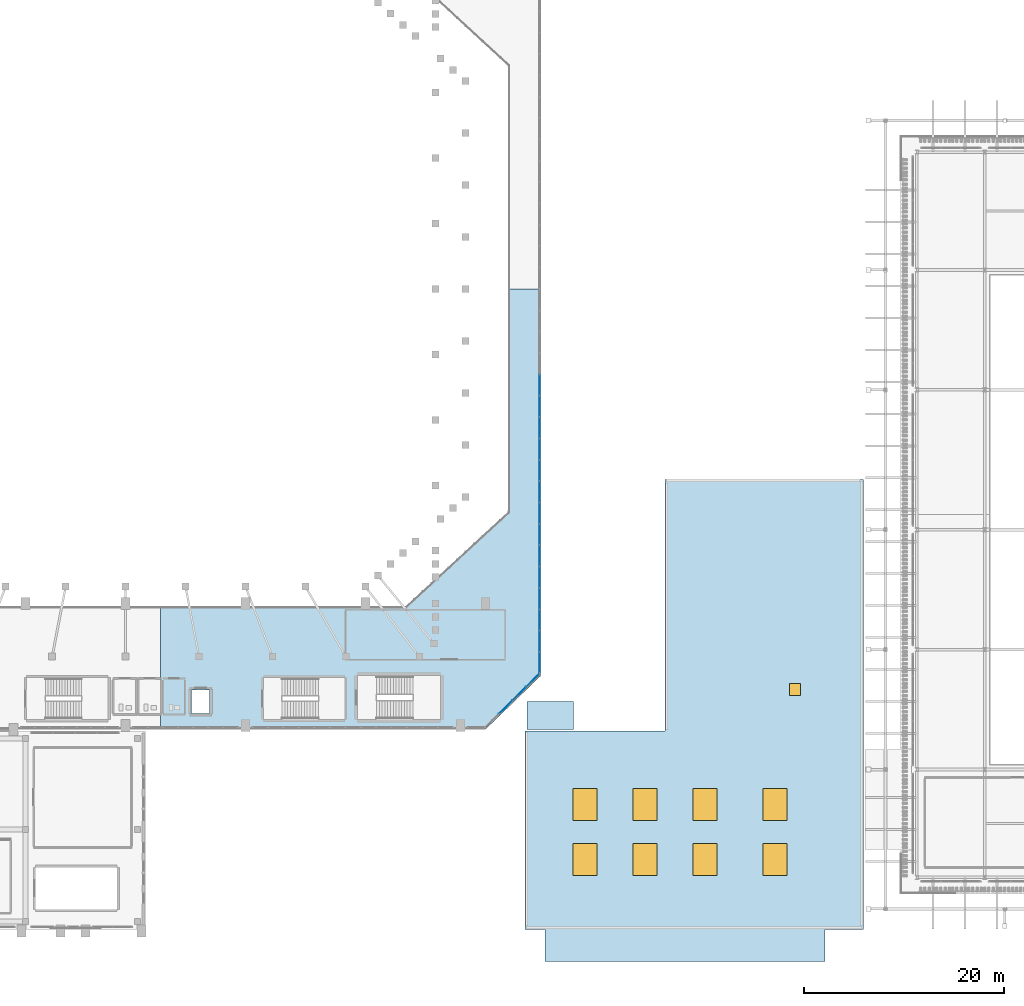
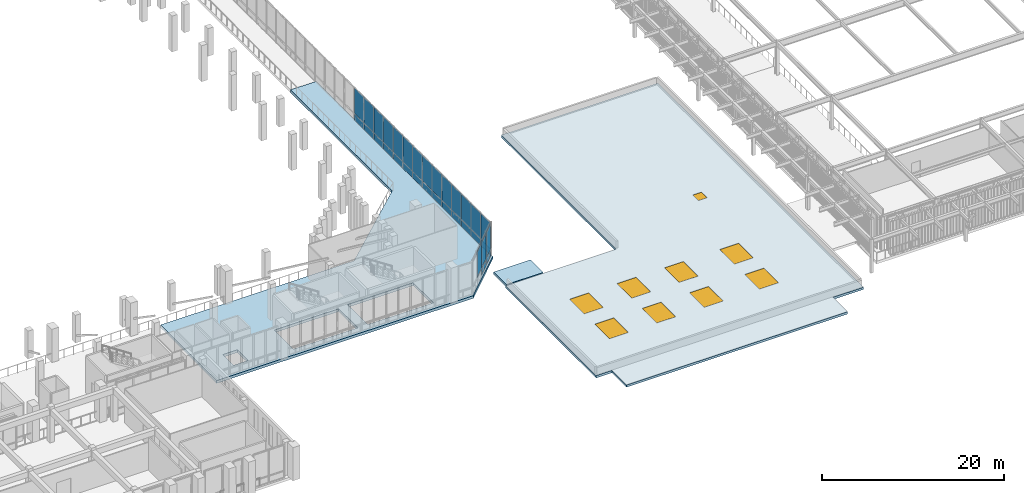
# One storey, part 69 of 126: 33 plates, 8 windows, 3 slabs, 1 door, 9 openings, 2 elements without a shape of their own.
"""IFC4 building model written with IfcOpenShell, lengths in metres."""

from ifc_helpers import new_model, si_unit, derived_unit, direction, frame, origin, origin_2d, place, context, subcontext, project, spatial, polyline, rectangle, outline, extrude, material, layer, layer_set, type_object, element, fill, aggregate, save


model = new_model("IFC4")

# Units and contexts
model_context = context("Model", 3, precision=1e-05, world=origin(), true_north=direction((0.0, 1.0)))
body_context = subcontext(model_context, "Body", "Model", "MODEL_VIEW")
ifc_project = project(units=[si_unit("LENGTHUNIT", "METRE"), si_unit("AREAUNIT", "SQUARE_METRE"), si_unit("VOLUMEUNIT", "CUBIC_METRE"), si_unit("PLANEANGLEUNIT", "RADIAN"), si_unit("MASSUNIT", "GRAM", prefix="KILO"), derived_unit("THERMALTRANSMITTANCEUNIT", [(si_unit("MASSUNIT", "GRAM", prefix="KILO"), 1), (si_unit("TIMEUNIT", "SECOND"), -3), (si_unit("THERMODYNAMICTEMPERATUREUNIT", "KELVIN"), -1)])], contexts=[model_context])

# Site, building, storey
site_placement = place(None, origin())
site = spatial("IfcSite", under=ifc_project, at=site_placement, CompositionType="ELEMENT")
building_placement = place(site_placement, origin())
building = spatial("IfcBuilding", under=site, at=building_placement, Name="Valcora Ridge Arena", CompositionType="ELEMENT")
storey_placement = place(building_placement, frame((0.0, 0.0, 11.39990234375)))
storey = spatial("IfcBuildingStorey", under=building, at=storey_placement, Name="L02", CompositionType="ELEMENT", Elevation=11.39990234375)

# Curtain wall, plates
ifc_material_1 = material(Name="Anodised dark bronze architectural aluminium 6063-T6", Category="aluminium")
ifc_layer_1 = layer(ifc_material_1, 0.14990234375, Name="Anodised dark bronze architectural aluminium 6063-T6")
ifc_layer_set_1 = layer_set([ifc_layer_1], Name="Anodised dark bronze architectural aluminium 6063-T6")
curtain_wall_type_1 = type_object("IfcCurtainWallType", Name="TY-CURTAINWALL-CW-V1-EAST-077X44", PredefinedType="NOTDEFINED", material=ifc_layer_set_1)
curtain_wall_1_placement = place(storey_placement, origin())
curtain_wall_1 = element("IfcCurtainWall", 1, at=curtain_wall_1_placement, inside=storey, type_object=curtain_wall_type_1, Name="CW-V1-EAST-077X44 CW-0128", PredefinedType="NOTDEFINED")
ifc_material_2 = material(Name="Low-iron solar-control double glazing SHGC 0.28", Category="glass")
ifc_layer_2 = layer(ifc_material_2, 0.028076171875, Name="Low-iron solar-control double glazing SHGC 0.28")
ifc_layer_set_2 = layer_set([ifc_layer_2], Name="Low-iron solar-control double glazing SHGC 0.28")
plate_type_1 = type_object("IfcPlateType", Name="TY-PLT-CWP-1848X0875", PredefinedType="CURTAIN_PANEL", material=ifc_layer_set_2)
plate_1_placement = place(storey_placement, frame((98.760009765625, 24.940673828125, 0.050048828125), z_axis=(0.0, 0.0, 1.0), x_axis=(0.708555400884, 0.705655187665, 0.0)))
plate_1 = element("IfcPlate", 2, at=plate_1_placement, type_object=plate_type_1, Name="CW-0128/P03-00", PredefinedType="CURTAIN_PANEL", context=body_context, shape_type="SweptSolid", body=[
    extrude(rectangle(XDim=1.847900390625, YDim=0.028076171875, at=origin_2d()), origin(), (0.0, 0.0, 1.0), 0.875),
])
ifc_layer_3 = layer(ifc_material_2, 0.028076171875, Name="Low-iron solar-control double glazing SHGC 0.28")
ifc_layer_set_3 = layer_set([ifc_layer_3], Name="Low-iron solar-control double glazing SHGC 0.28")
plate_type_2 = type_object("IfcPlateType", Name="TY-PLT-CWP-1848X3425", PredefinedType="CURTAIN_PANEL", material=ifc_layer_set_3)
plate_2_placement = place(storey_placement, frame((98.760009765625, 24.940673828125, 0.97509765625), z_axis=(0.0, 0.0, 1.0), x_axis=(0.708555400884, 0.705655187665, 0.0)))
plate_2 = element("IfcPlate", 3, at=plate_2_placement, type_object=plate_type_2, Name="CW-0128/P03-01", PredefinedType="CURTAIN_PANEL", context=body_context, shape_type="SweptSolid", body=[
    extrude(rectangle(XDim=1.847900390625, YDim=0.028076171875, at=origin_2d()), origin(), (0.0, 0.0, 1.0), 3.425048828125),
])
ifc_layer_4 = layer(ifc_material_2, 0.028076171875, Name="Low-iron solar-control double glazing SHGC 0.28")
ifc_layer_set_4 = layer_set([ifc_layer_4], Name="Low-iron solar-control double glazing SHGC 0.28")
plate_type_3 = type_object("IfcPlateType", Name="TY-PLT-CWP-1873X0875", PredefinedType="CURTAIN_PANEL", material=ifc_layer_set_4)
plate_3_placement = place(storey_placement, frame((97.406494140625, 23.59228515625, 0.050048828125), z_axis=(0.0, 0.0, 1.0), x_axis=(0.708555400884, 0.705655187665, 0.0)))
plate_3 = element("IfcPlate", 4, at=plate_3_placement, type_object=plate_type_3, Name="CW-0128/P02-00", PredefinedType="CURTAIN_PANEL", context=body_context, shape_type="SweptSolid", body=[
    extrude(rectangle(XDim=1.873046875, YDim=0.028076171875, at=origin_2d()), origin(), (0.0, 0.0, 1.0), 0.875),
])
ifc_layer_5 = layer(ifc_material_2, 0.028076171875, Name="Low-iron solar-control double glazing SHGC 0.28")
ifc_layer_set_5 = layer_set([ifc_layer_5], Name="Low-iron solar-control double glazing SHGC 0.28")
plate_type_4 = type_object("IfcPlateType", Name="TY-PLT-CWP-1873X3425", PredefinedType="CURTAIN_PANEL", material=ifc_layer_set_5)
plate_4_placement = place(storey_placement, frame((96.043701171875, 22.235595703125, 0.97509765625), z_axis=(0.0, 0.0, 1.0), x_axis=(0.708555400884, 0.705655187665, 0.0)))
plate_4 = element("IfcPlate", 5, at=plate_4_placement, type_object=plate_type_4, Name="CW-0128/P01-01", PredefinedType="CURTAIN_PANEL", context=body_context, shape_type="SweptSolid", body=[
    extrude(rectangle(XDim=1.873046875, YDim=0.028076171875, at=origin_2d()), origin(), (0.0, 0.0, 1.0), 3.425048828125),
])
plate_5_placement = place(storey_placement, frame((97.406494140625, 23.59228515625, 0.97509765625), z_axis=(0.0, 0.0, 1.0), x_axis=(0.708555400884, 0.705655187665, 0.0)))
plate_5 = element("IfcPlate", 6, at=plate_5_placement, type_object=plate_type_4, Name="CW-0128/P02-01", PredefinedType="CURTAIN_PANEL", context=body_context, shape_type="SweptSolid", body=[
    extrude(rectangle(XDim=1.873046875, YDim=0.028076171875, at=origin_2d()), origin(), (0.0, 0.0, 1.0), 3.425048828125),
])
aggregate(curtain_wall_1, [plate_4, plate_3, plate_5, plate_1, plate_2])

ifc_layer_6 = layer(ifc_material_1, 0.14990234375, Name="Anodised dark bronze architectural aluminium 6063-T6")
ifc_layer_set_6 = layer_set([ifc_layer_6], Name="Anodised dark bronze architectural aluminium 6063-T6")
curtain_wall_type_2 = type_object("IfcCurtainWallType", Name="TY-CURTAINWALL-CW-V1-EAST-769X44", PredefinedType="NOTDEFINED", material=ifc_layer_set_6)
curtain_wall_2_placement = place(storey_placement, origin())
curtain_wall_2 = element("IfcCurtainWall", 7, at=curtain_wall_2_placement, inside=storey, type_object=curtain_wall_type_2, Name="CW-V1-EAST-769X44 CW-0129", PredefinedType="NOTDEFINED")
ifc_layer_7 = layer(ifc_material_2, 0.028076171875, Name="Low-iron solar-control double glazing SHGC 0.28")
ifc_layer_set_7 = layer_set([ifc_layer_7], Name="Low-iron solar-control double glazing SHGC 0.28")
plate_type_5 = type_object("IfcPlateType", Name="TY-PLT-CWP-2062X0875", PredefinedType="CURTAIN_PANEL", material=ifc_layer_set_7)
plate_6_placement = place(storey_placement, frame((99.449951171875, 26.708740234375, 0.050048828125), z_axis=(0.0, 0.0, 1.0), x_axis=(0.0, 1.0, 0.0)))
plate_6 = element("IfcPlate", 8, at=plate_6_placement, type_object=plate_type_5, Name="CW-0129/P00-00", PredefinedType="CURTAIN_PANEL", context=body_context, shape_type="SweptSolid", body=[
    extrude(rectangle(XDim=2.06201171875, YDim=0.028076171875, at=origin_2d()), origin(), (0.0, 0.0, 1.0), 0.875),
])
ifc_layer_8 = layer(ifc_material_2, 0.028076171875, Name="Low-iron solar-control double glazing SHGC 0.28")
ifc_layer_set_8 = layer_set([ifc_layer_8], Name="Low-iron solar-control double glazing SHGC 0.28")
plate_type_6 = type_object("IfcPlateType", Name="TY-PLT-CWP-2062X3425", PredefinedType="CURTAIN_PANEL", material=ifc_layer_set_8)
plate_7_placement = place(storey_placement, frame((99.449951171875, 26.708740234375, 0.97509765625), z_axis=(0.0, 0.0, 1.0), x_axis=(0.0, 1.0, 0.0)))
plate_7 = element("IfcPlate", 9, at=plate_7_placement, type_object=plate_type_6, Name="CW-0129/P00-01", PredefinedType="CURTAIN_PANEL", context=body_context, shape_type="SweptSolid", body=[
    extrude(rectangle(XDim=2.06201171875, YDim=0.028076171875, at=origin_2d()), origin(), (0.0, 0.0, 1.0), 3.425048828125),
])
ifc_layer_9 = layer(ifc_material_2, 0.028076171875, Name="Low-iron solar-control double glazing SHGC 0.28")
ifc_layer_set_9 = layer_set([ifc_layer_9], Name="Low-iron solar-control double glazing SHGC 0.28")
plate_type_7 = type_object("IfcPlateType", Name="TY-PLT-CWP-2087X0875", PredefinedType="CURTAIN_PANEL", material=ifc_layer_set_9)
plate_8_placement = place(storey_placement, frame((99.449951171875, 30.97119140625, 0.050048828125), z_axis=(0.0, 0.0, 1.0), x_axis=(0.0, 1.0, 0.0)))
plate_8 = element("IfcPlate", 10, at=plate_8_placement, type_object=plate_type_7, Name="CW-0129/P02-00", PredefinedType="CURTAIN_PANEL", context=body_context, shape_type="SweptSolid", body=[
    extrude(rectangle(XDim=2.0869140625, YDim=0.028076171875, at=origin_2d()), origin(), (0.0, 0.0, 1.0), 0.875),
])
plate_9_placement = place(storey_placement, frame((99.449951171875, 33.108154296875, 0.050048828125), z_axis=(0.0, 0.0, 1.0), x_axis=(0.0, 1.0, 0.0)))
plate_9 = element("IfcPlate", 11, at=plate_9_placement, type_object=plate_type_7, Name="CW-0129/P03-00", PredefinedType="CURTAIN_PANEL", context=body_context, shape_type="SweptSolid", body=[
    extrude(rectangle(XDim=2.0869140625, YDim=0.028076171875, at=origin_2d()), origin(), (0.0, 0.0, 1.0), 0.875),
])
plate_10_placement = place(storey_placement, frame((99.449951171875, 37.38330078125, 0.050048828125), z_axis=(0.0, 0.0, 1.0), x_axis=(0.0, 1.0, 0.0)))
plate_10 = element("IfcPlate", 12, at=plate_10_placement, type_object=plate_type_7, Name="CW-0129/P05-00", PredefinedType="CURTAIN_PANEL", context=body_context, shape_type="SweptSolid", body=[
    extrude(rectangle(XDim=2.0869140625, YDim=0.028076171875, at=origin_2d()), origin(), (0.0, 0.0, 1.0), 0.875),
])
plate_11_placement = place(storey_placement, frame((99.449951171875, 39.520263671875, 0.050048828125), z_axis=(0.0, 0.0, 1.0), x_axis=(0.0, 1.0, 0.0)))
plate_11 = element("IfcPlate", 13, at=plate_11_placement, type_object=plate_type_7, Name="CW-0129/P06-00", PredefinedType="CURTAIN_PANEL", context=body_context, shape_type="SweptSolid", body=[
    extrude(rectangle(XDim=2.0869140625, YDim=0.028076171875, at=origin_2d()), origin(), (0.0, 0.0, 1.0), 0.875),
])
plate_12_placement = place(storey_placement, frame((99.449951171875, 43.795166015625, 0.050048828125), z_axis=(0.0, 0.0, 1.0), x_axis=(0.0, 1.0, 0.0)))
plate_12 = element("IfcPlate", 14, at=plate_12_placement, type_object=plate_type_7, Name="CW-0129/P08-00", PredefinedType="CURTAIN_PANEL", context=body_context, shape_type="SweptSolid", body=[
    extrude(rectangle(XDim=2.0869140625, YDim=0.028076171875, at=origin_2d()), origin(), (0.0, 0.0, 1.0), 0.875),
])
plate_13_placement = place(storey_placement, frame((99.449951171875, 45.93212890625, 0.050048828125), z_axis=(0.0, 0.0, 1.0), x_axis=(0.0, 1.0, 0.0)))
plate_13 = element("IfcPlate", 15, at=plate_13_placement, type_object=plate_type_7, Name="CW-0129/P09-00", PredefinedType="CURTAIN_PANEL", context=body_context, shape_type="SweptSolid", body=[
    extrude(rectangle(XDim=2.0869140625, YDim=0.028076171875, at=origin_2d()), origin(), (0.0, 0.0, 1.0), 0.875),
])
plate_14_placement = place(storey_placement, frame((99.449951171875, 50.207275390625, 0.050048828125), z_axis=(0.0, 0.0, 1.0), x_axis=(0.0, 1.0, 0.0)))
plate_14 = element("IfcPlate", 16, at=plate_14_placement, type_object=plate_type_7, Name="CW-0129/P11-00", PredefinedType="CURTAIN_PANEL", context=body_context, shape_type="SweptSolid", body=[
    extrude(rectangle(XDim=2.0869140625, YDim=0.028076171875, at=origin_2d()), origin(), (0.0, 0.0, 1.0), 0.875),
])
plate_15_placement = place(storey_placement, frame((99.449951171875, 54.482177734375, 0.050048828125), z_axis=(0.0, 0.0, 1.0), x_axis=(0.0, 1.0, 0.0)))
plate_15 = element("IfcPlate", 17, at=plate_15_placement, type_object=plate_type_7, Name="CW-0129/P13-00", PredefinedType="CURTAIN_PANEL", context=body_context, shape_type="SweptSolid", body=[
    extrude(rectangle(XDim=2.0869140625, YDim=0.028076171875, at=origin_2d()), origin(), (0.0, 0.0, 1.0), 0.875),
])
ifc_layer_10 = layer(ifc_material_2, 0.028076171875, Name="Low-iron solar-control double glazing SHGC 0.28")
ifc_layer_set_10 = layer_set([ifc_layer_10], Name="Low-iron solar-control double glazing SHGC 0.28")
plate_type_8 = type_object("IfcPlateType", Name="TY-PLT-CWP-2087X3425", PredefinedType="CURTAIN_PANEL", material=ifc_layer_set_10)
plate_16_placement = place(storey_placement, frame((99.449951171875, 30.97119140625, 0.97509765625), z_axis=(0.0, 0.0, 1.0), x_axis=(0.0, 1.0, 0.0)))
plate_16 = element("IfcPlate", 18, at=plate_16_placement, type_object=plate_type_8, Name="CW-0129/P02-01", PredefinedType="CURTAIN_PANEL", context=body_context, shape_type="SweptSolid", body=[
    extrude(rectangle(XDim=2.0869140625, YDim=0.028076171875, at=origin_2d()), origin(), (0.0, 0.0, 1.0), 3.425048828125),
])
plate_17_placement = place(storey_placement, frame((99.449951171875, 33.108154296875, 0.97509765625), z_axis=(0.0, 0.0, 1.0), x_axis=(0.0, 1.0, 0.0)))
plate_17 = element("IfcPlate", 19, at=plate_17_placement, type_object=plate_type_8, Name="CW-0129/P03-01", PredefinedType="CURTAIN_PANEL", context=body_context, shape_type="SweptSolid", body=[
    extrude(rectangle(XDim=2.0869140625, YDim=0.028076171875, at=origin_2d()), origin(), (0.0, 0.0, 1.0), 3.425048828125),
])
plate_18_placement = place(storey_placement, frame((99.449951171875, 37.38330078125, 0.97509765625), z_axis=(0.0, 0.0, 1.0), x_axis=(0.0, 1.0, 0.0)))
plate_18 = element("IfcPlate", 20, at=plate_18_placement, type_object=plate_type_8, Name="CW-0129/P05-01", PredefinedType="CURTAIN_PANEL", context=body_context, shape_type="SweptSolid", body=[
    extrude(rectangle(XDim=2.0869140625, YDim=0.028076171875, at=origin_2d()), origin(), (0.0, 0.0, 1.0), 3.425048828125),
])
plate_19_placement = place(storey_placement, frame((99.449951171875, 39.520263671875, 0.97509765625), z_axis=(0.0, 0.0, 1.0), x_axis=(0.0, 1.0, 0.0)))
plate_19 = element("IfcPlate", 21, at=plate_19_placement, type_object=plate_type_8, Name="CW-0129/P06-01", PredefinedType="CURTAIN_PANEL", context=body_context, shape_type="SweptSolid", body=[
    extrude(rectangle(XDim=2.0869140625, YDim=0.028076171875, at=origin_2d()), origin(), (0.0, 0.0, 1.0), 3.425048828125),
])
plate_20_placement = place(storey_placement, frame((99.449951171875, 43.795166015625, 0.97509765625), z_axis=(0.0, 0.0, 1.0), x_axis=(0.0, 1.0, 0.0)))
plate_20 = element("IfcPlate", 22, at=plate_20_placement, type_object=plate_type_8, Name="CW-0129/P08-01", PredefinedType="CURTAIN_PANEL", context=body_context, shape_type="SweptSolid", body=[
    extrude(rectangle(XDim=2.0869140625, YDim=0.028076171875, at=origin_2d()), origin(), (0.0, 0.0, 1.0), 3.425048828125),
])
plate_21_placement = place(storey_placement, frame((99.449951171875, 45.93212890625, 0.97509765625), z_axis=(0.0, 0.0, 1.0), x_axis=(0.0, 1.0, 0.0)))
plate_21 = element("IfcPlate", 23, at=plate_21_placement, type_object=plate_type_8, Name="CW-0129/P09-01", PredefinedType="CURTAIN_PANEL", context=body_context, shape_type="SweptSolid", body=[
    extrude(rectangle(XDim=2.0869140625, YDim=0.028076171875, at=origin_2d()), origin(), (0.0, 0.0, 1.0), 3.425048828125),
])
plate_22_placement = place(storey_placement, frame((99.449951171875, 50.207275390625, 0.97509765625), z_axis=(0.0, 0.0, 1.0), x_axis=(0.0, 1.0, 0.0)))
plate_22 = element("IfcPlate", 24, at=plate_22_placement, type_object=plate_type_8, Name="CW-0129/P11-01", PredefinedType="CURTAIN_PANEL", context=body_context, shape_type="SweptSolid", body=[
    extrude(rectangle(XDim=2.0869140625, YDim=0.028076171875, at=origin_2d()), origin(), (0.0, 0.0, 1.0), 3.425048828125),
])
plate_23_placement = place(storey_placement, frame((99.449951171875, 54.482177734375, 0.97509765625), z_axis=(0.0, 0.0, 1.0), x_axis=(0.0, 1.0, 0.0)))
plate_23 = element("IfcPlate", 25, at=plate_23_placement, type_object=plate_type_8, Name="CW-0129/P13-01", PredefinedType="CURTAIN_PANEL", context=body_context, shape_type="SweptSolid", body=[
    extrude(rectangle(XDim=2.0869140625, YDim=0.028076171875, at=origin_2d()), origin(), (0.0, 0.0, 1.0), 3.425048828125),
])
ifc_layer_11 = layer(ifc_material_2, 0.028076171875, Name="Low-iron solar-control double glazing SHGC 0.28")
ifc_layer_set_11 = layer_set([ifc_layer_11], Name="Low-iron solar-control double glazing SHGC 0.28")
plate_type_9 = type_object("IfcPlateType", Name="TY-PLT-CWP-2088X0875", PredefinedType="CURTAIN_PANEL", material=ifc_layer_set_11)
plate_24_placement = place(storey_placement, frame((99.449951171875, 28.833740234375, 0.050048828125), z_axis=(0.0, 0.0, 1.0), x_axis=(0.0, 1.0, 0.0)))
plate_24 = element("IfcPlate", 26, at=plate_24_placement, type_object=plate_type_9, Name="CW-0129/P01-00", PredefinedType="CURTAIN_PANEL", context=body_context, shape_type="SweptSolid", body=[
    extrude(rectangle(XDim=2.087890625, YDim=0.028076171875, at=origin_2d()), origin(), (0.0, 0.0, 1.0), 0.875),
])
plate_25_placement = place(storey_placement, frame((99.449951171875, 35.24560546875, 0.050048828125), z_axis=(0.0, 0.0, 1.0), x_axis=(0.0, 1.0, 0.0)))
plate_25 = element("IfcPlate", 27, at=plate_25_placement, type_object=plate_type_9, Name="CW-0129/P04-00", PredefinedType="CURTAIN_PANEL", context=body_context, shape_type="SweptSolid", body=[
    extrude(rectangle(XDim=2.087890625, YDim=0.028076171875, at=origin_2d()), origin(), (0.0, 0.0, 1.0), 0.875),
])
plate_26_placement = place(storey_placement, frame((99.449951171875, 41.65771484375, 0.050048828125), z_axis=(0.0, 0.0, 1.0), x_axis=(0.0, 1.0, 0.0)))
plate_26 = element("IfcPlate", 28, at=plate_26_placement, type_object=plate_type_9, Name="CW-0129/P07-00", PredefinedType="CURTAIN_PANEL", context=body_context, shape_type="SweptSolid", body=[
    extrude(rectangle(XDim=2.087890625, YDim=0.028076171875, at=origin_2d()), origin(), (0.0, 0.0, 1.0), 0.875),
])
plate_27_placement = place(storey_placement, frame((99.449951171875, 48.069580078125, 0.050048828125), z_axis=(0.0, 0.0, 1.0), x_axis=(0.0, 1.0, 0.0)))
plate_27 = element("IfcPlate", 29, at=plate_27_placement, type_object=plate_type_9, Name="CW-0129/P10-00", PredefinedType="CURTAIN_PANEL", context=body_context, shape_type="SweptSolid", body=[
    extrude(rectangle(XDim=2.087890625, YDim=0.028076171875, at=origin_2d()), origin(), (0.0, 0.0, 1.0), 0.875),
])
plate_28_placement = place(storey_placement, frame((99.449951171875, 52.3447265625, 0.050048828125), z_axis=(0.0, 0.0, 1.0), x_axis=(0.0, 1.0, 0.0)))
plate_28 = element("IfcPlate", 30, at=plate_28_placement, type_object=plate_type_9, Name="CW-0129/P12-00", PredefinedType="CURTAIN_PANEL", context=body_context, shape_type="SweptSolid", body=[
    extrude(rectangle(XDim=2.087890625, YDim=0.028076171875, at=origin_2d()), origin(), (0.0, 0.0, 1.0), 0.875),
])
ifc_layer_12 = layer(ifc_material_2, 0.028076171875, Name="Low-iron solar-control double glazing SHGC 0.28")
ifc_layer_set_12 = layer_set([ifc_layer_12], Name="Low-iron solar-control double glazing SHGC 0.28")
plate_type_10 = type_object("IfcPlateType", Name="TY-PLT-CWP-2088X3425", PredefinedType="CURTAIN_PANEL", material=ifc_layer_set_12)
plate_29_placement = place(storey_placement, frame((99.449951171875, 28.833740234375, 0.97509765625), z_axis=(0.0, 0.0, 1.0), x_axis=(0.0, 1.0, 0.0)))
plate_29 = element("IfcPlate", 31, at=plate_29_placement, type_object=plate_type_10, Name="CW-0129/P01-01", PredefinedType="CURTAIN_PANEL", context=body_context, shape_type="SweptSolid", body=[
    extrude(rectangle(XDim=2.087890625, YDim=0.028076171875, at=origin_2d()), origin(), (0.0, 0.0, 1.0), 3.425048828125),
])
plate_30_placement = place(storey_placement, frame((99.449951171875, 35.24560546875, 0.97509765625), z_axis=(0.0, 0.0, 1.0), x_axis=(0.0, 1.0, 0.0)))
plate_30 = element("IfcPlate", 32, at=plate_30_placement, type_object=plate_type_10, Name="CW-0129/P04-01", PredefinedType="CURTAIN_PANEL", context=body_context, shape_type="SweptSolid", body=[
    extrude(rectangle(XDim=2.087890625, YDim=0.028076171875, at=origin_2d()), origin(), (0.0, 0.0, 1.0), 3.425048828125),
])
plate_31_placement = place(storey_placement, frame((99.449951171875, 41.65771484375, 0.97509765625), z_axis=(0.0, 0.0, 1.0), x_axis=(0.0, 1.0, 0.0)))
plate_31 = element("IfcPlate", 33, at=plate_31_placement, type_object=plate_type_10, Name="CW-0129/P07-01", PredefinedType="CURTAIN_PANEL", context=body_context, shape_type="SweptSolid", body=[
    extrude(rectangle(XDim=2.087890625, YDim=0.028076171875, at=origin_2d()), origin(), (0.0, 0.0, 1.0), 3.425048828125),
])
plate_32_placement = place(storey_placement, frame((99.449951171875, 48.069580078125, 0.97509765625), z_axis=(0.0, 0.0, 1.0), x_axis=(0.0, 1.0, 0.0)))
plate_32 = element("IfcPlate", 34, at=plate_32_placement, type_object=plate_type_10, Name="CW-0129/P10-01", PredefinedType="CURTAIN_PANEL", context=body_context, shape_type="SweptSolid", body=[
    extrude(rectangle(XDim=2.087890625, YDim=0.028076171875, at=origin_2d()), origin(), (0.0, 0.0, 1.0), 3.425048828125),
])
plate_33_placement = place(storey_placement, frame((99.449951171875, 52.3447265625, 0.97509765625), z_axis=(0.0, 0.0, 1.0), x_axis=(0.0, 1.0, 0.0)))
plate_33 = element("IfcPlate", 35, at=plate_33_placement, type_object=plate_type_10, Name="CW-0129/P12-01", PredefinedType="CURTAIN_PANEL", context=body_context, shape_type="SweptSolid", body=[
    extrude(rectangle(XDim=2.087890625, YDim=0.028076171875, at=origin_2d()), origin(), (0.0, 0.0, 1.0), 3.425048828125),
])
aggregate(curtain_wall_2, [plate_6, plate_7, plate_24, plate_29, plate_8, plate_16, plate_9, plate_17, plate_25, plate_30, plate_10, plate_18, plate_11, plate_19, plate_26, plate_31, plate_12, plate_20, plate_13, plate_21, plate_27, plate_32, plate_14, plate_22, plate_28, plate_33, plate_15, plate_23])

# Slab
ifc_material_3 = material(Name="Concrete C40/50", Category="concrete")
ifc_layer_13 = layer(ifc_material_3, 0.320068359375, Name="Concrete C40/50")
ifc_layer_set_13 = layer_set([ifc_layer_13], Name="Concrete C40/50")
slab_type_1 = type_object("IfcSlabType", Name="TY-SLAB-RF-BRG-SJ1", PredefinedType="ROOF", material=ifc_layer_set_13)
slab_1_placement = place(storey_placement, frame((0.0, 0.0, -0.31982421875)))
element("IfcSlab", 36, at=slab_1_placement, inside=storey, type_object=slab_type_1, Name="RF-BRG-SJ1 SLB-0081", PredefinedType="ROOF", context=body_context, shape_type="SweptSolid", body=[
    extrude(outline(polyline([(102.85009765625, 20.0), (102.85009765625, 22.800048828125), (98.199951171875, 22.800048828125), (98.199951171875, 20.0), (102.85009765625, 20.0)])), origin(), (0.0, 0.0, 1.0), 0.31982421875),
])

# Slab, openings, door, windows
ifc_layer_14 = layer(ifc_material_3, 0.300048828125, Name="Concrete C40/50")
ifc_layer_set_14 = layer_set([ifc_layer_14], Name="Concrete C40/50")
slab_type_2 = type_object("IfcSlabType", Name="TY-SLAB-RF-V3-300", PredefinedType="ROOF", material=ifc_layer_set_14)
slab_2_placement = place(storey_placement, frame((0.0, 0.0, -0.2998046875)))
slab_2 = element("IfcSlab", 37, at=slab_2_placement, inside=storey, type_object=slab_type_2, Name="RF-V3-300 SLB-0092", PredefinedType="ROOF", context=body_context, shape_type="SweptSolid", body=[
    extrude(outline(polyline([(128.0, -3.199951171875), (128.0, 0.0), (131.85009765625, 0.0), (131.85009765625, 45.050048828125), (112.0, 45.050048828125), (112.0, 19.85009765625), (98.0, 19.85009765625), (98.0, 0.0), (100.0, 0.0), (100.0, -3.199951171875), (128.0, -3.199951171875)]), holes=[polyline([(102.804931640625, 8.594970703125), (102.804931640625, 5.405029296875), (105.195068359375, 5.405029296875), (105.195068359375, 8.594970703125), (102.804931640625, 8.594970703125)]), polyline([(108.804931640625, 8.594970703125), (108.804931640625, 5.405029296875), (111.195068359375, 5.405029296875), (111.195068359375, 8.594970703125), (108.804931640625, 8.594970703125)]), polyline([(114.804931640625, 8.594970703125), (114.804931640625, 5.405029296875), (117.195068359375, 5.405029296875), (117.195068359375, 8.594970703125), (114.804931640625, 8.594970703125)]), polyline([(121.804931640625, 8.594970703125), (121.804931640625, 5.405029296875), (124.195068359375, 5.405029296875), (124.195068359375, 8.594970703125), (121.804931640625, 8.594970703125)]), polyline([(102.804931640625, 14.094970703125), (102.804931640625, 10.905029296875), (105.195068359375, 10.905029296875), (105.195068359375, 14.094970703125), (102.804931640625, 14.094970703125)]), polyline([(108.804931640625, 14.094970703125), (108.804931640625, 10.905029296875), (111.195068359375, 10.905029296875), (111.195068359375, 14.094970703125), (108.804931640625, 14.094970703125)]), polyline([(114.804931640625, 14.094970703125), (114.804931640625, 10.905029296875), (117.195068359375, 10.905029296875), (117.195068359375, 14.094970703125), (114.804931640625, 14.094970703125)]), polyline([(124.195068359375, 14.094970703125), (121.804931640625, 14.094970703125), (121.804931640625, 10.905029296875), (124.195068359375, 10.905029296875), (124.195068359375, 14.094970703125)]), polyline([(125.544921875, 24.594970703125), (124.455078125, 24.594970703125), (124.455078125, 23.405029296875), (125.544921875, 23.405029296875), (125.544921875, 24.594970703125)])]), origin(), (0.0, 0.0, 1.0), 0.2998046875),
])
opening_1_placement = place(slab_2_placement, frame((104.0, 7.0, 0.0)))
opening_1 = element("IfcOpeningElement", 38, at=opening_1_placement, cuts=slab_2, Name="Opening SKY-240X320", PredefinedType="OPENING", context=body_context, shape_type="SweptSolid", body=[
    extrude(rectangle(XDim=2.39990234375, YDim=3.199951171875, at=origin_2d()), frame((0.0, 0.0, -0.010009765625)), (0.0, 0.0, 1.0), 0.31982421875),
])
opening_2_placement = place(slab_2_placement, frame((104.0, 12.5, 0.0)))
opening_2 = element("IfcOpeningElement", 39, at=opening_2_placement, cuts=slab_2, Name="Opening SKY-240X320", PredefinedType="OPENING", context=body_context, shape_type="SweptSolid", body=[
    extrude(rectangle(XDim=2.39990234375, YDim=3.199951171875, at=origin_2d()), frame((0.0, 0.0, -0.010009765625)), (0.0, 0.0, 1.0), 0.31982421875),
])
opening_3_placement = place(slab_2_placement, frame((110.0, 7.0, 0.0)))
opening_3 = element("IfcOpeningElement", 40, at=opening_3_placement, cuts=slab_2, Name="Opening SKY-240X320", PredefinedType="OPENING", context=body_context, shape_type="SweptSolid", body=[
    extrude(rectangle(XDim=2.39990234375, YDim=3.199951171875, at=origin_2d()), frame((0.0, 0.0, -0.010009765625)), (0.0, 0.0, 1.0), 0.31982421875),
])
opening_4_placement = place(slab_2_placement, frame((110.0, 12.5, 0.0)))
opening_4 = element("IfcOpeningElement", 41, at=opening_4_placement, cuts=slab_2, Name="Opening SKY-240X320", PredefinedType="OPENING", context=body_context, shape_type="SweptSolid", body=[
    extrude(rectangle(XDim=2.39990234375, YDim=3.199951171875, at=origin_2d()), frame((0.0, 0.0, -0.010009765625)), (0.0, 0.0, 1.0), 0.31982421875),
])
opening_5_placement = place(slab_2_placement, frame((116.0, 7.0, 0.0)))
opening_5 = element("IfcOpeningElement", 42, at=opening_5_placement, cuts=slab_2, Name="Opening SKY-240X320", PredefinedType="OPENING", context=body_context, shape_type="SweptSolid", body=[
    extrude(rectangle(XDim=2.39990234375, YDim=3.199951171875, at=origin_2d()), frame((0.0, 0.0, -0.010009765625)), (0.0, 0.0, 1.0), 0.31982421875),
])
opening_6_placement = place(slab_2_placement, frame((116.0, 12.5, 0.0)))
opening_6 = element("IfcOpeningElement", 43, at=opening_6_placement, cuts=slab_2, Name="Opening SKY-240X320", PredefinedType="OPENING", context=body_context, shape_type="SweptSolid", body=[
    extrude(rectangle(XDim=2.39990234375, YDim=3.199951171875, at=origin_2d()), frame((0.0, 0.0, -0.010009765625)), (0.0, 0.0, 1.0), 0.31982421875),
])
opening_7_placement = place(slab_2_placement, frame((123.0, 7.0, 0.0)))
opening_7 = element("IfcOpeningElement", 44, at=opening_7_placement, cuts=slab_2, Name="Opening SKY-240X320", PredefinedType="OPENING", context=body_context, shape_type="SweptSolid", body=[
    extrude(rectangle(XDim=2.39990234375, YDim=3.199951171875, at=origin_2d()), frame((0.0, 0.0, -0.010009765625)), (0.0, 0.0, 1.0), 0.31982421875),
])
opening_8_placement = place(slab_2_placement, frame((123.0, 12.5, 0.0)))
opening_8 = element("IfcOpeningElement", 45, at=opening_8_placement, cuts=slab_2, Name="Opening SKY-240X320", PredefinedType="OPENING", context=body_context, shape_type="SweptSolid", body=[
    extrude(rectangle(XDim=2.39990234375, YDim=3.199951171875, at=origin_2d()), frame((0.0, 0.0, -0.010009765625)), (0.0, 0.0, 1.0), 0.31982421875),
])
opening_9_placement = place(slab_2_placement, frame((125.0, 24.0, 0.0)))
opening_9 = element("IfcOpeningElement", 46, at=opening_9_placement, cuts=slab_2, Name="Opening HT-ROOF-110", PredefinedType="OPENING", context=body_context, shape_type="SweptSolid", body=[
    extrude(rectangle(XDim=1.10009765625, YDim=1.199951171875, at=origin_2d()), frame((0.0, 0.0, -0.010009765625)), (0.0, 0.0, 1.0), 0.31982421875),
])
ifc_material_4 = material(Name="Acoustic insulated galvanized steel roller shutter", Category="steel")
door_type = type_object("IfcDoorType", Name="TY-DOOR-HT-ROOF-110", OperationType="NOTDEFINED", PredefinedType="TRAPDOOR", material=ifc_material_4)
door_placement = place(opening_9_placement, frame((0.0, 0.0, 0.259765625)))
door = element("IfcDoor", 47, at=door_placement, inside=storey, type_object=door_type, Name="HT-ROOF-110 DOR-HT-0004", OperationType="SWING_FIXED_LEFT", OverallHeight=1.199951171875, OverallWidth=1.10009765625, PredefinedType="TRAPDOOR", context=body_context, shape_type="SweptSolid", body=[
    extrude(rectangle(XDim=1.10009765625, YDim=1.199951171875, at=origin_2d()), origin(), (0.0, 0.0, 1.0), 0.0400390625),
])
fill(opening_9, door)
window_type = type_object("IfcWindowType", Name="TY-WINDOW-SKY-240X320", PartitioningType="SINGLE_PANEL", PredefinedType="SKYLIGHT", material=ifc_material_2)
window_1_placement = place(opening_1_placement, frame((0.0, 0.0, 0.259765625)))
window_1 = element("IfcWindow", 48, at=window_1_placement, inside=storey, type_object=window_type, Name="SKY-240X320 WIN-SK-0001", OverallHeight=3.199951171875, OverallWidth=2.39990234375, PartitioningType="SINGLE_PANEL", PredefinedType="SKYLIGHT", context=body_context, shape_type="SweptSolid", body=[
    extrude(rectangle(XDim=2.39990234375, YDim=3.199951171875, at=origin_2d()), origin(), (0.0, 0.0, 1.0), 0.0400390625),
])
fill(opening_1, window_1)
window_2_placement = place(opening_2_placement, frame((0.0, 0.0, 0.259765625)))
window_2 = element("IfcWindow", 49, at=window_2_placement, inside=storey, type_object=window_type, Name="SKY-240X320 WIN-SK-0002", OverallHeight=3.199951171875, OverallWidth=2.39990234375, PartitioningType="SINGLE_PANEL", PredefinedType="SKYLIGHT", context=body_context, shape_type="SweptSolid", body=[
    extrude(rectangle(XDim=2.39990234375, YDim=3.199951171875, at=origin_2d()), origin(), (0.0, 0.0, 1.0), 0.0400390625),
])
fill(opening_2, window_2)
window_3_placement = place(opening_3_placement, frame((0.0, 0.0, 0.259765625)))
window_3 = element("IfcWindow", 50, at=window_3_placement, inside=storey, type_object=window_type, Name="SKY-240X320 WIN-SK-0003", OverallHeight=3.199951171875, OverallWidth=2.39990234375, PartitioningType="SINGLE_PANEL", PredefinedType="SKYLIGHT", context=body_context, shape_type="SweptSolid", body=[
    extrude(rectangle(XDim=2.39990234375, YDim=3.199951171875, at=origin_2d()), origin(), (0.0, 0.0, 1.0), 0.0400390625),
])
fill(opening_3, window_3)
window_4_placement = place(opening_4_placement, frame((0.0, 0.0, 0.259765625)))
window_4 = element("IfcWindow", 51, at=window_4_placement, inside=storey, type_object=window_type, Name="SKY-240X320 WIN-SK-0004", OverallHeight=3.199951171875, OverallWidth=2.39990234375, PartitioningType="SINGLE_PANEL", PredefinedType="SKYLIGHT", context=body_context, shape_type="SweptSolid", body=[
    extrude(rectangle(XDim=2.39990234375, YDim=3.199951171875, at=origin_2d()), origin(), (0.0, 0.0, 1.0), 0.0400390625),
])
fill(opening_4, window_4)
window_5_placement = place(opening_5_placement, frame((0.0, 0.0, 0.259765625)))
window_5 = element("IfcWindow", 52, at=window_5_placement, inside=storey, type_object=window_type, Name="SKY-240X320 WIN-SK-0005", OverallHeight=3.199951171875, OverallWidth=2.39990234375, PartitioningType="SINGLE_PANEL", PredefinedType="SKYLIGHT", context=body_context, shape_type="SweptSolid", body=[
    extrude(rectangle(XDim=2.39990234375, YDim=3.199951171875, at=origin_2d()), origin(), (0.0, 0.0, 1.0), 0.0400390625),
])
fill(opening_5, window_5)
window_6_placement = place(opening_6_placement, frame((0.0, 0.0, 0.259765625)))
window_6 = element("IfcWindow", 53, at=window_6_placement, inside=storey, type_object=window_type, Name="SKY-240X320 WIN-SK-0006", OverallHeight=3.199951171875, OverallWidth=2.39990234375, PartitioningType="SINGLE_PANEL", PredefinedType="SKYLIGHT", context=body_context, shape_type="SweptSolid", body=[
    extrude(rectangle(XDim=2.39990234375, YDim=3.199951171875, at=origin_2d()), origin(), (0.0, 0.0, 1.0), 0.0400390625),
])
fill(opening_6, window_6)
window_7_placement = place(opening_7_placement, frame((0.0, 0.0, 0.259765625)))
window_7 = element("IfcWindow", 54, at=window_7_placement, inside=storey, type_object=window_type, Name="SKY-240X320 WIN-SK-0007", OverallHeight=3.199951171875, OverallWidth=2.39990234375, PartitioningType="SINGLE_PANEL", PredefinedType="SKYLIGHT", context=body_context, shape_type="SweptSolid", body=[
    extrude(rectangle(XDim=2.39990234375, YDim=3.199951171875, at=origin_2d()), origin(), (0.0, 0.0, 1.0), 0.0400390625),
])
fill(opening_7, window_7)
window_8_placement = place(opening_8_placement, frame((0.0, 0.0, 0.259765625)))
window_8 = element("IfcWindow", 55, at=window_8_placement, inside=storey, type_object=window_type, Name="SKY-240X320 WIN-SK-0008", OverallHeight=3.199951171875, OverallWidth=2.39990234375, PartitioningType="SINGLE_PANEL", PredefinedType="SKYLIGHT", context=body_context, shape_type="SweptSolid", body=[
    extrude(rectangle(XDim=2.39990234375, YDim=3.199951171875, at=origin_2d()), origin(), (0.0, 0.0, 1.0), 0.0400390625),
])
fill(opening_8, window_8)

# Slab
ifc_layer_15 = layer(ifc_material_3, 0.360107421875, Name="Concrete C40/50")
ifc_layer_set_15 = layer_set([ifc_layer_15], Name="Concrete C40/50")
slab_type_3 = type_object("IfcSlabType", Name="TY-SLAB-SL-CLUB-360-SE", PredefinedType="FLOOR", material=ifc_layer_set_15)
slab_3_placement = place(storey_placement, frame((0.0, 0.0, -0.35986328125)))
element("IfcSlab", 56, at=slab_3_placement, inside=storey, type_object=slab_type_3, Name="SL-CLUB-360-SE SLB-0042", PredefinedType="FLOOR", context=body_context, shape_type="SweptSolid", body=[
    extrude(outline(polyline([(99.60009765625, 25.427734375), (99.60009765625, 64.10009765625), (96.300048828125, 64.10009765625), (96.300048828125, 41.800048828125), (86.0, 32.300048828125), (61.5, 32.300048828125), (61.5, 20.0), (94.0, 20.0), (99.60009765625, 25.427734375)]), holes=[polyline([(71.800048828125, 25.199951171875), (71.800048828125, 21.0), (79.9599609375, 21.0), (79.9599609375, 25.199951171875), (71.800048828125, 25.199951171875)]), polyline([(81.199951171875, 21.0), (89.52001953125, 21.0), (89.52001953125, 25.39990234375), (81.199951171875, 25.39990234375), (81.199951171875, 21.0)]), polyline([(66.419921875, 23.969970703125), (64.580078125, 23.969970703125), (64.580078125, 21.6298828125), (66.419921875, 21.6298828125), (66.419921875, 23.969970703125)])]), origin(), (0.0, 0.0, 1.0), 0.35986328125),
])

save(model, "model.ifc")
